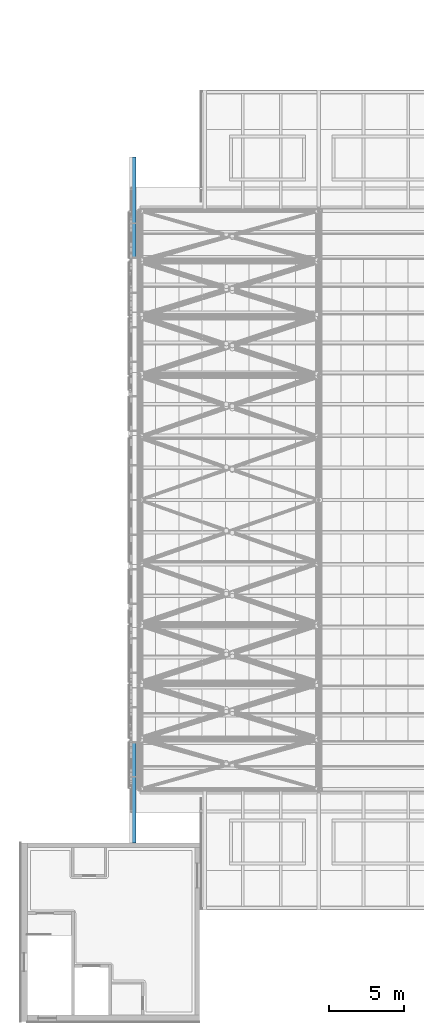
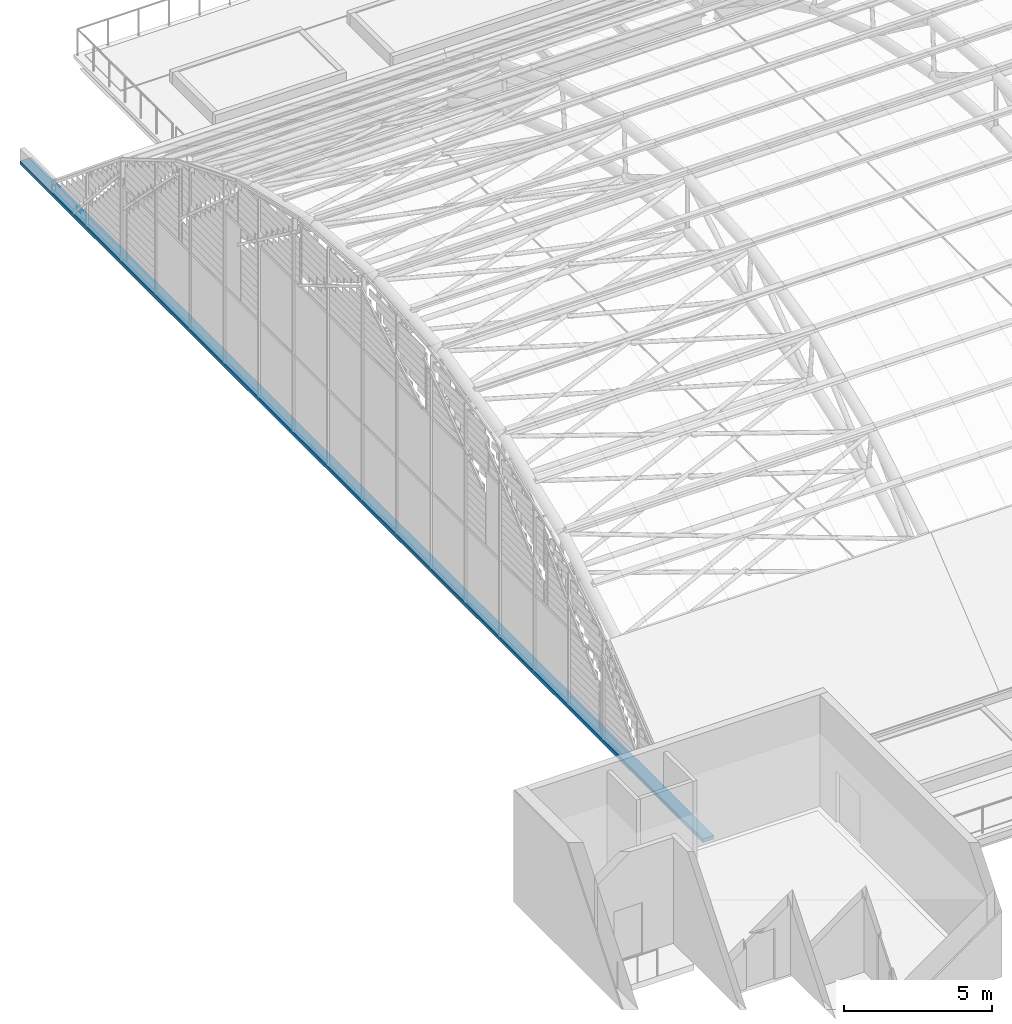
# One storey, part 10 of 110: 1 member.
"""IFC4 building model written with IfcOpenShell, lengths in metres."""

from ifc_helpers import new_model, si_unit, direction, frame, origin, origin_2d, place, context, subcontext, project, spatial, rectangle, extrude, material, material_profile, profile_set, type_object, element, save


model = new_model("IFC4")

# Units and contexts
model_context = context("Model", 3, precision=1e-05, world=origin(), true_north=direction((0.0, 1.0)))
body_context = subcontext(model_context, "Body", "Model", "MODEL_VIEW")
ifc_project = project(units=[si_unit("LENGTHUNIT", "METRE"), si_unit("AREAUNIT", "SQUARE_METRE"), si_unit("VOLUMEUNIT", "CUBIC_METRE"), si_unit("PLANEANGLEUNIT", "RADIAN"), si_unit("MASSUNIT", "GRAM", prefix="KILO")], contexts=[model_context])

# Site, building, storey
site_placement = place(None, origin())
site = spatial("IfcSite", under=ifc_project, at=site_placement, CompositionType="ELEMENT")
building_placement = place(site_placement, origin())
building = spatial("IfcBuilding", under=site, at=building_placement, Name="Windward Yard Aquatics Centre", CompositionType="ELEMENT")
storey_placement = place(building_placement, frame((0.0, 0.0, 22.60009765625)))
storey = spatial("IfcBuildingStorey", under=building, at=storey_placement, Name="L05", CompositionType="ELEMENT", Elevation=22.60009765625)

# Member
ifc_material = material(Name="Aluminium 6063-T6 anodised", Category="aluminium")
ifc_material_profile = material_profile(ifc_material, rectangle(XDim=0.43505859375, YDim=0.14990234375, at=origin_2d()), Name="H gable sill beam 435x150")
ifc_profile_set = profile_set([ifc_material_profile], Name="Aluminium 6063-T6 anodised")
member_type = type_object("IfcMemberType", Name="H gable sill beam 435x150", PredefinedType="USERDEFINED", material=ifc_profile_set)
member_placement = place(storey_placement, frame((59.53759765625, 38.0, -0.0751953125), z_axis=(0.0, 1.0, 0.0), x_axis=(-1.0, 0.0, 0.0)))
element("IfcMember", 1, at=member_placement, inside=storey, type_object=member_type, Name="Gable sill beam W", ObjectType="SILL RAIL", PredefinedType="USERDEFINED", context=body_context, shape_type="SweptSolid", body=[
    extrude(rectangle(XDim=0.43505859375, YDim=0.14990234375, at=origin_2d()), origin(), (0.0, 0.0, 1.0), 46.0),
])

save(model, "model.ifc")
